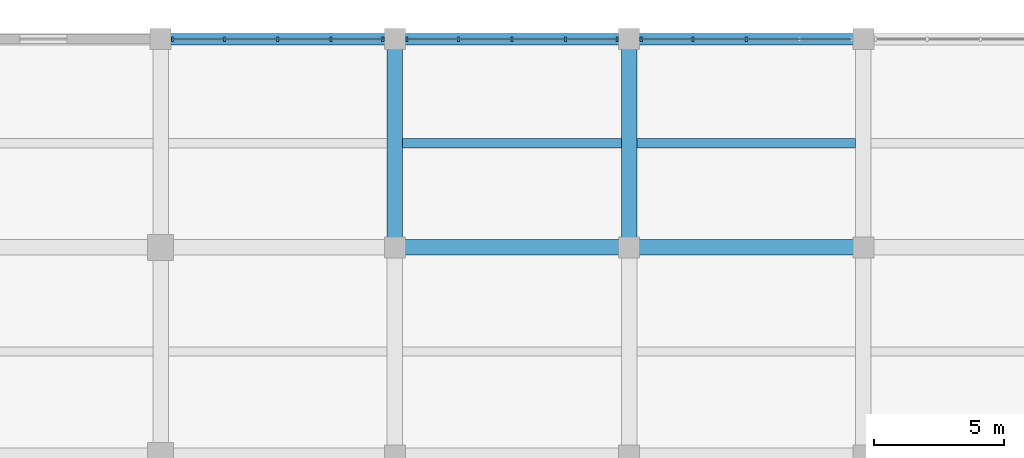
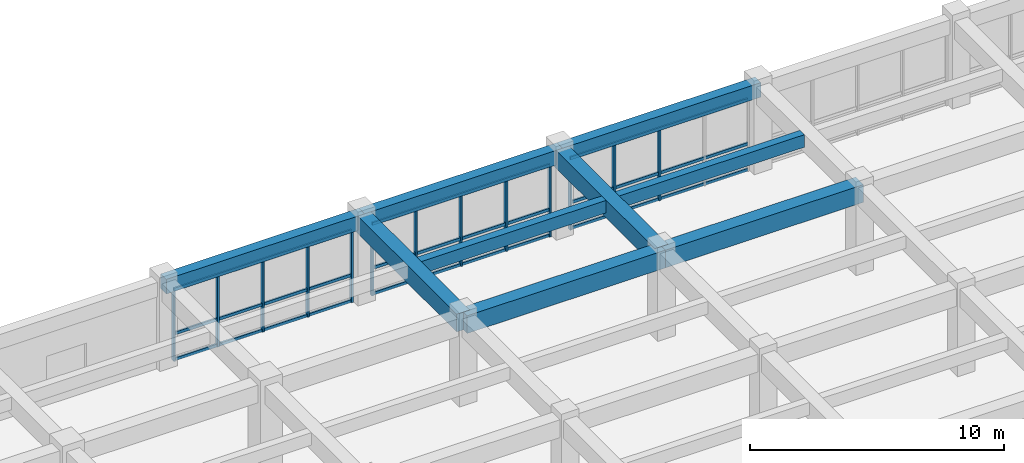
# One storey, part 16 of 50: 22 members, 9 beams, 3 elements without a shape of their own.
"""IFC4 building model written with IfcOpenShell, lengths in metres."""

from ifc_helpers import new_model, si_unit, direction, frame, origin, origin_2d, place, context, subcontext, project, spatial, rectangle, extrude, material, material_profile, profile_set, type_object, element, aggregate, save


model = new_model("IFC4")

# Units and contexts
model_context = context("Model", 3, precision=1e-05, world=origin(), true_north=direction((0.0, 1.0)))
body_context = subcontext(model_context, "Body", "Model", "MODEL_VIEW")
ifc_project = project(units=[si_unit("LENGTHUNIT", "METRE"), si_unit("AREAUNIT", "SQUARE_METRE"), si_unit("VOLUMEUNIT", "CUBIC_METRE"), si_unit("PLANEANGLEUNIT", "RADIAN"), si_unit("MASSUNIT", "GRAM", prefix="KILO")], contexts=[model_context])

# Site, building, storey
site_placement = place(None, origin())
site = spatial("IfcSite", under=ifc_project, at=site_placement, CompositionType="ELEMENT")
building_placement = place(site_placement, origin())
building = spatial("IfcBuilding", under=site, at=building_placement, Name="Zaverband Oceanarium and Marine Research Institute", CompositionType="ELEMENT")
storey_placement = place(building_placement, frame((0.0, 0.0, 4.5)))
storey = spatial("IfcBuildingStorey", under=building, at=storey_placement, Name="L01", CompositionType="ELEMENT", Elevation=4.5)

# Beams
ifc_material_1 = material(Name="Concrete C40/50", Category="concrete")
ifc_material_profile_1 = material_profile(ifc_material_1, rectangle(XDim=0.60009765625, YDim=0.85009765625, at=origin_2d()), Name="RC600x850")
ifc_profile_set_1 = profile_set([ifc_material_profile_1], Name="Concrete C40/50")
beam_type_1 = type_object("IfcBeamType", Name="BM-600x850", PredefinedType="BEAM", material=ifc_profile_set_1)
for number, where, z_axis, x_axis, name in (
    (1, (81.0, 112.0, 3.7548828125), (1.0, 0.0, 0.0), (0.0, 1.0, 0.0), "Primary floor girder BM-600x850"),
    (2, (90.0, 112.0, 3.7548828125), (1.0, 0.0, 0.0), (0.0, 1.0, 0.0), "Primary floor girder BM-600x850"),
):
    element("IfcBeam", number, at=place(storey_placement, frame(where, z_axis=z_axis, x_axis=x_axis)), inside=storey, type_object=beam_type_1, Name=name, PredefinedType="BEAM", context=body_context, shape_type="SweptSolid", body=[
        extrude(rectangle(XDim=0.60009765625, YDim=0.85009765625, at=origin_2d()), origin(), (0.0, 0.0, 1.0), 9.0),
    ])
for number, where, z_axis, x_axis, name in (
    (3, (81.0, 112.0, 3.7548828125), (0.0, 1.0, 0.0), (-1.0, 0.0, 0.0), "Primary floor girder BM-600x850"),
    (4, (90.0, 112.0, 3.7548828125), (0.0, 1.0, 0.0), (-1.0, 0.0, 0.0), "Primary floor girder BM-600x850"),
):
    element("IfcBeam", number, at=place(storey_placement, frame(where, z_axis=z_axis, x_axis=x_axis)), inside=storey, type_object=beam_type_1, Name=name, PredefinedType="BEAM", context=body_context, shape_type="SweptSolid", body=[
        extrude(rectangle(XDim=0.60009765625, YDim=0.85009765625, at=origin_2d()), origin(), (0.0, 0.0, 1.0), 8.0),
    ])
ifc_material_profile_2 = material_profile(ifc_material_1, rectangle(XDim=0.35009765625, YDim=0.60009765625, at=origin_2d()), Name="RC350x600")
ifc_profile_set_2 = profile_set([ifc_material_profile_2], Name="Concrete C40/50")
beam_type_2 = type_object("IfcBeamType", Name="JST-350x600", PredefinedType="JOIST", material=ifc_profile_set_2)
for number, where, z_axis, x_axis, name in (
    (5, (81.300048828125, 116.0, 3.8798828125), (1.0, 0.0, 0.0), (0.0, 1.0, 0.0), "Secondary floor joist JST-350x600"),
    (6, (90.300048828125, 116.0, 3.8798828125), (1.0, 0.0, 0.0), (0.0, 1.0, 0.0), "Secondary floor joist JST-350x600"),
):
    element("IfcBeam", number, at=place(storey_placement, frame(where, z_axis=z_axis, x_axis=x_axis)), inside=storey, type_object=beam_type_2, Name=name, PredefinedType="JOIST", context=body_context, shape_type="SweptSolid", body=[
        extrude(rectangle(XDim=0.35009765625, YDim=0.60009765625, at=origin_2d()), origin(), (0.0, 0.0, 1.0), 8.39990234375),
    ])

# Curtain wall, members
ifc_material_2 = material(Name="Thermally broken anodized aluminium and solar-control glass", Category="aluminium")
curtain_wall_type = type_object("IfcCurtainWallType", Name="CW-UNIT-1800", PredefinedType="NOTDEFINED", material=ifc_material_2)
curtain_wall_1_placement = place(storey_placement, origin())
curtain_wall_1 = element("IfcCurtainWall", 7, at=curtain_wall_1_placement, inside=storey, type_object=curtain_wall_type, Name="Unitised glazed curtain wall CW-023", PredefinedType="NOTDEFINED")
ifc_material_3 = material(Name="Thermally broken anodized aluminium", Category="aluminium")
ifc_material_profile_3 = material_profile(ifc_material_3, rectangle(XDim=0.080078125, YDim=0.179931640625, at=origin_2d()), Name="AL-MUL-80x180")
ifc_profile_set_3 = profile_set([ifc_material_profile_3], Name="Thermally broken anodized aluminium")
member_type_1 = type_object("IfcMemberType", Name="MUL-80x180", PredefinedType="MULLION", material=ifc_profile_set_3)
member_1_placement = place(storey_placement, frame((72.465087890625, 120.0, 0.0), z_axis=(0.0, 0.0, 1.0), x_axis=(1.0, 0.0, 0.0)))
member_1 = element("IfcMember", 8, at=member_1_placement, type_object=member_type_1, Name="Curtain wall vertical mullion MUL-80x180", PredefinedType="MULLION", context=body_context, shape_type="SweptSolid", body=[
    extrude(rectangle(XDim=0.080078125, YDim=0.179931640625, at=origin_2d()), origin(), (0.0, 0.0, 1.0), 3.4599609375),
])
member_2_placement = place(storey_placement, frame((74.452392578125, 120.0, 0.0), z_axis=(0.0, 0.0, 1.0), x_axis=(1.0, 0.0, 0.0)))
member_2 = element("IfcMember", 9, at=member_2_placement, type_object=member_type_1, Name="Curtain wall vertical mullion MUL-80x180", PredefinedType="MULLION", context=body_context, shape_type="SweptSolid", body=[
    extrude(rectangle(XDim=0.080078125, YDim=0.179931640625, at=origin_2d()), origin(), (0.0, 0.0, 1.0), 3.4599609375),
])
member_3_placement = place(storey_placement, frame((76.5, 120.0, 0.0), z_axis=(0.0, 0.0, 1.0), x_axis=(1.0, 0.0, 0.0)))
member_3 = element("IfcMember", 10, at=member_3_placement, type_object=member_type_1, Name="Curtain wall vertical mullion MUL-80x180", PredefinedType="MULLION", context=body_context, shape_type="SweptSolid", body=[
    extrude(rectangle(XDim=0.080078125, YDim=0.179931640625, at=origin_2d()), origin(), (0.0, 0.0, 1.0), 3.4599609375),
])
member_4_placement = place(storey_placement, frame((78.547607421875, 120.0, 0.0), z_axis=(0.0, 0.0, 1.0), x_axis=(1.0, 0.0, 0.0)))
member_4 = element("IfcMember", 11, at=member_4_placement, type_object=member_type_1, Name="Curtain wall vertical mullion MUL-80x180", PredefinedType="MULLION", context=body_context, shape_type="SweptSolid", body=[
    extrude(rectangle(XDim=0.080078125, YDim=0.179931640625, at=origin_2d()), origin(), (0.0, 0.0, 1.0), 3.4599609375),
])
member_5_placement = place(storey_placement, frame((80.534912109375, 120.0, 0.0), z_axis=(0.0, 0.0, 1.0), x_axis=(1.0, 0.0, 0.0)))
member_5 = element("IfcMember", 12, at=member_5_placement, type_object=member_type_1, Name="Curtain wall vertical mullion MUL-80x180", PredefinedType="MULLION", context=body_context, shape_type="SweptSolid", body=[
    extrude(rectangle(XDim=0.080078125, YDim=0.179931640625, at=origin_2d()), origin(), (0.0, 0.0, 1.0), 3.4599609375),
])

curtain_wall_2_placement = place(storey_placement, origin())
curtain_wall_2 = element("IfcCurtainWall", 13, at=curtain_wall_2_placement, inside=storey, type_object=curtain_wall_type, Name="Unitised glazed curtain wall CW-024", PredefinedType="NOTDEFINED")
member_6_placement = place(storey_placement, frame((81.465087890625, 120.0, 0.0), z_axis=(0.0, 0.0, 1.0), x_axis=(1.0, 0.0, 0.0)))
member_6 = element("IfcMember", 14, at=member_6_placement, type_object=member_type_1, Name="Curtain wall vertical mullion MUL-80x180", PredefinedType="MULLION", context=body_context, shape_type="SweptSolid", body=[
    extrude(rectangle(XDim=0.080078125, YDim=0.179931640625, at=origin_2d()), origin(), (0.0, 0.0, 1.0), 3.4599609375),
])
member_7_placement = place(storey_placement, frame((83.452392578125, 120.0, 0.0), z_axis=(0.0, 0.0, 1.0), x_axis=(1.0, 0.0, 0.0)))
member_7 = element("IfcMember", 15, at=member_7_placement, type_object=member_type_1, Name="Curtain wall vertical mullion MUL-80x180", PredefinedType="MULLION", context=body_context, shape_type="SweptSolid", body=[
    extrude(rectangle(XDim=0.080078125, YDim=0.179931640625, at=origin_2d()), origin(), (0.0, 0.0, 1.0), 3.4599609375),
])
member_8_placement = place(storey_placement, frame((85.5, 120.0, 0.0), z_axis=(0.0, 0.0, 1.0), x_axis=(1.0, 0.0, 0.0)))
member_8 = element("IfcMember", 16, at=member_8_placement, type_object=member_type_1, Name="Curtain wall vertical mullion MUL-80x180", PredefinedType="MULLION", context=body_context, shape_type="SweptSolid", body=[
    extrude(rectangle(XDim=0.080078125, YDim=0.179931640625, at=origin_2d()), origin(), (0.0, 0.0, 1.0), 3.4599609375),
])
member_9_placement = place(storey_placement, frame((87.547607421875, 120.0, 0.0), z_axis=(0.0, 0.0, 1.0), x_axis=(1.0, 0.0, 0.0)))
member_9 = element("IfcMember", 17, at=member_9_placement, type_object=member_type_1, Name="Curtain wall vertical mullion MUL-80x180", PredefinedType="MULLION", context=body_context, shape_type="SweptSolid", body=[
    extrude(rectangle(XDim=0.080078125, YDim=0.179931640625, at=origin_2d()), origin(), (0.0, 0.0, 1.0), 3.4599609375),
])
member_10_placement = place(storey_placement, frame((89.534912109375, 120.0, 0.0), z_axis=(0.0, 0.0, 1.0), x_axis=(1.0, 0.0, 0.0)))
member_10 = element("IfcMember", 18, at=member_10_placement, type_object=member_type_1, Name="Curtain wall vertical mullion MUL-80x180", PredefinedType="MULLION", context=body_context, shape_type="SweptSolid", body=[
    extrude(rectangle(XDim=0.080078125, YDim=0.179931640625, at=origin_2d()), origin(), (0.0, 0.0, 1.0), 3.4599609375),
])

curtain_wall_3_placement = place(storey_placement, origin())
curtain_wall_3 = element("IfcCurtainWall", 19, at=curtain_wall_3_placement, inside=storey, type_object=curtain_wall_type, Name="Unitised glazed curtain wall CW-025", PredefinedType="NOTDEFINED")
member_11_placement = place(storey_placement, frame((90.465087890625, 120.0, 0.0), z_axis=(0.0, 0.0, 1.0), x_axis=(1.0, 0.0, 0.0)))
member_11 = element("IfcMember", 20, at=member_11_placement, type_object=member_type_1, Name="Curtain wall vertical mullion MUL-80x180", PredefinedType="MULLION", context=body_context, shape_type="SweptSolid", body=[
    extrude(rectangle(XDim=0.080078125, YDim=0.179931640625, at=origin_2d()), origin(), (0.0, 0.0, 1.0), 3.4599609375),
])
member_12_placement = place(storey_placement, frame((92.452392578125, 120.0, 0.0), z_axis=(0.0, 0.0, 1.0), x_axis=(1.0, 0.0, 0.0)))
member_12 = element("IfcMember", 21, at=member_12_placement, type_object=member_type_1, Name="Curtain wall vertical mullion MUL-80x180", PredefinedType="MULLION", context=body_context, shape_type="SweptSolid", body=[
    extrude(rectangle(XDim=0.080078125, YDim=0.179931640625, at=origin_2d()), origin(), (0.0, 0.0, 1.0), 3.4599609375),
])
member_13_placement = place(storey_placement, frame((94.5, 120.0, 0.0), z_axis=(0.0, 0.0, 1.0), x_axis=(1.0, 0.0, 0.0)))
member_13 = element("IfcMember", 22, at=member_13_placement, type_object=member_type_1, Name="Curtain wall vertical mullion MUL-80x180", PredefinedType="MULLION", context=body_context, shape_type="SweptSolid", body=[
    extrude(rectangle(XDim=0.080078125, YDim=0.179931640625, at=origin_2d()), origin(), (0.0, 0.0, 1.0), 3.4599609375),
])

# Beams
ifc_material_profile_4 = material_profile(ifc_material_1, rectangle(XDim=0.449951171875, YDim=0.699951171875, at=origin_2d()), Name="RC450x700")
ifc_profile_set_4 = profile_set([ifc_material_profile_4], Name="Concrete C40/50")
beam_type_3 = type_object("IfcBeamType", Name="SPN-450x700", PredefinedType="SPANDREL", material=ifc_profile_set_4)
for number, where, z_axis, x_axis, name in (
    (23, (72.0, 120.0, 3.830078125), (1.0, 0.0, 0.0), (0.0, 1.0, 0.0), "Perimeter spandrel beam SPN-450x700"),
    (24, (81.0, 120.0, 3.830078125), (1.0, 0.0, 0.0), (0.0, 1.0, 0.0), "Perimeter spandrel beam SPN-450x700"),
    (25, (90.0, 120.0, 3.830078125), (1.0, 0.0, 0.0), (0.0, 1.0, 0.0), "Perimeter spandrel beam SPN-450x700"),
):
    element("IfcBeam", number, at=place(storey_placement, frame(where, z_axis=z_axis, x_axis=x_axis)), inside=storey, type_object=beam_type_3, Name=name, PredefinedType="SPANDREL", context=body_context, shape_type="SweptSolid", body=[
        extrude(rectangle(XDim=0.449951171875, YDim=0.699951171875, at=origin_2d()), origin(), (0.0, 0.0, 1.0), 9.0),
    ])

# Member
ifc_material_profile_5 = material_profile(ifc_material_3, rectangle(XDim=0.080078125, YDim=0.139892578125, at=origin_2d()), Name="AL-TRN-80x140")
ifc_profile_set_5 = profile_set([ifc_material_profile_5], Name="Thermally broken anodized aluminium")
member_type_2 = type_object("IfcMemberType", Name="TRN-80x140", PredefinedType="USERDEFINED", material=ifc_profile_set_5)
member_14_placement = place(storey_placement, frame((72.465087890625, 120.0, 0.050048828125), z_axis=(1.0, 0.0, 0.0), x_axis=(0.0, 1.0, 0.0)))
member_14 = element("IfcMember", 26, at=member_14_placement, type_object=member_type_2, Name="Curtain wall horizontal transom TRN-80x140", ObjectType="TRANSOM", PredefinedType="USERDEFINED", context=body_context, shape_type="SweptSolid", body=[
    extrude(rectangle(XDim=0.080078125, YDim=0.139892578125, at=origin_2d()), origin(), (0.0, 0.0, 1.0), 8.06982421875),
])

member_15_placement = place(storey_placement, frame((72.465087890625, 120.0, 1.291015625), z_axis=(1.0, 0.0, 0.0), x_axis=(0.0, 1.0, 0.0)))
member_15 = element("IfcMember", 27, at=member_15_placement, type_object=member_type_2, Name="Curtain wall horizontal transom TRN-80x140", ObjectType="TRANSOM", PredefinedType="USERDEFINED", context=body_context, shape_type="SweptSolid", body=[
    extrude(rectangle(XDim=0.080078125, YDim=0.139892578125, at=origin_2d()), origin(), (0.0, 0.0, 1.0), 8.06982421875),
])

member_16_placement = place(storey_placement, frame((72.465087890625, 120.0, 3.409912109375), z_axis=(1.0, 0.0, 0.0), x_axis=(0.0, 1.0, 0.0)))
member_16 = element("IfcMember", 28, at=member_16_placement, type_object=member_type_2, Name="Curtain wall horizontal transom TRN-80x140", ObjectType="TRANSOM", PredefinedType="USERDEFINED", context=body_context, shape_type="SweptSolid", body=[
    extrude(rectangle(XDim=0.080078125, YDim=0.139892578125, at=origin_2d()), origin(), (0.0, 0.0, 1.0), 8.06982421875),
])

aggregate(curtain_wall_1, [member_1, member_2, member_3, member_4, member_5, member_14, member_15, member_16])

member_17_placement = place(storey_placement, frame((81.465087890625, 120.0, 0.050048828125), z_axis=(1.0, 0.0, 0.0), x_axis=(0.0, 1.0, 0.0)))
member_17 = element("IfcMember", 29, at=member_17_placement, type_object=member_type_2, Name="Curtain wall horizontal transom TRN-80x140", ObjectType="TRANSOM", PredefinedType="USERDEFINED", context=body_context, shape_type="SweptSolid", body=[
    extrude(rectangle(XDim=0.080078125, YDim=0.139892578125, at=origin_2d()), origin(), (0.0, 0.0, 1.0), 8.06982421875),
])

member_18_placement = place(storey_placement, frame((81.465087890625, 120.0, 1.291015625), z_axis=(1.0, 0.0, 0.0), x_axis=(0.0, 1.0, 0.0)))
member_18 = element("IfcMember", 30, at=member_18_placement, type_object=member_type_2, Name="Curtain wall horizontal transom TRN-80x140", ObjectType="TRANSOM", PredefinedType="USERDEFINED", context=body_context, shape_type="SweptSolid", body=[
    extrude(rectangle(XDim=0.080078125, YDim=0.139892578125, at=origin_2d()), origin(), (0.0, 0.0, 1.0), 8.06982421875),
])

member_19_placement = place(storey_placement, frame((81.465087890625, 120.0, 3.409912109375), z_axis=(1.0, 0.0, 0.0), x_axis=(0.0, 1.0, 0.0)))
member_19 = element("IfcMember", 31, at=member_19_placement, type_object=member_type_2, Name="Curtain wall horizontal transom TRN-80x140", ObjectType="TRANSOM", PredefinedType="USERDEFINED", context=body_context, shape_type="SweptSolid", body=[
    extrude(rectangle(XDim=0.080078125, YDim=0.139892578125, at=origin_2d()), origin(), (0.0, 0.0, 1.0), 8.06982421875),
])

aggregate(curtain_wall_2, [member_6, member_7, member_8, member_9, member_10, member_17, member_18, member_19])

member_20_placement = place(storey_placement, frame((90.465087890625, 120.0, 0.050048828125), z_axis=(1.0, 0.0, 0.0), x_axis=(0.0, 1.0, 0.0)))
member_20 = element("IfcMember", 32, at=member_20_placement, type_object=member_type_2, Name="Curtain wall horizontal transom TRN-80x140", ObjectType="TRANSOM", PredefinedType="USERDEFINED", context=body_context, shape_type="SweptSolid", body=[
    extrude(rectangle(XDim=0.080078125, YDim=0.139892578125, at=origin_2d()), origin(), (0.0, 0.0, 1.0), 8.06982421875),
])

member_21_placement = place(storey_placement, frame((90.465087890625, 120.0, 1.291015625), z_axis=(1.0, 0.0, 0.0), x_axis=(0.0, 1.0, 0.0)))
member_21 = element("IfcMember", 33, at=member_21_placement, type_object=member_type_2, Name="Curtain wall horizontal transom TRN-80x140", ObjectType="TRANSOM", PredefinedType="USERDEFINED", context=body_context, shape_type="SweptSolid", body=[
    extrude(rectangle(XDim=0.080078125, YDim=0.139892578125, at=origin_2d()), origin(), (0.0, 0.0, 1.0), 8.06982421875),
])

member_22_placement = place(storey_placement, frame((90.465087890625, 120.0, 3.409912109375), z_axis=(1.0, 0.0, 0.0), x_axis=(0.0, 1.0, 0.0)))
member_22 = element("IfcMember", 34, at=member_22_placement, type_object=member_type_2, Name="Curtain wall horizontal transom TRN-80x140", ObjectType="TRANSOM", PredefinedType="USERDEFINED", context=body_context, shape_type="SweptSolid", body=[
    extrude(rectangle(XDim=0.080078125, YDim=0.139892578125, at=origin_2d()), origin(), (0.0, 0.0, 1.0), 8.06982421875),
])

aggregate(curtain_wall_3, [member_11, member_12, member_13, member_20, member_21, member_22])

save(model, "model.ifc")
